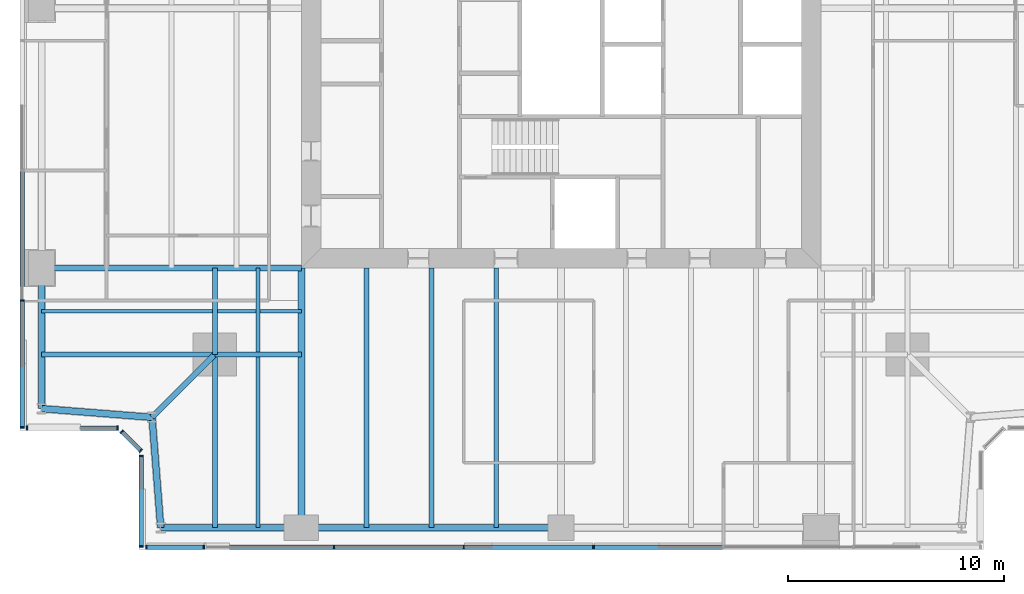
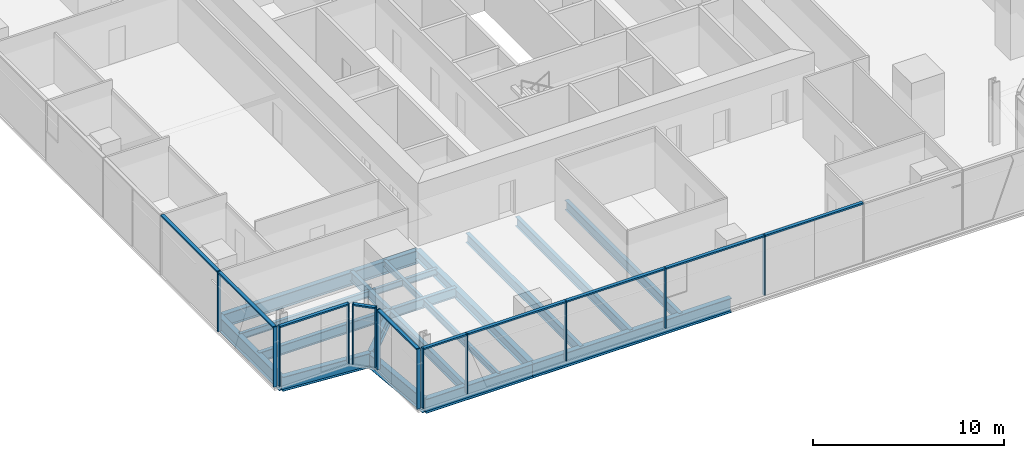
# One storey, part 2 of 16: 23 members, 20 beams, 5 elements without a shape of their own.
"""IFC4 building model written with IfcOpenShell, lengths in metres."""

from ifc_helpers import new_model, si_unit, direction, frame, origin, origin_2d, place, context, subcontext, project, spatial, rectangle, i_section, extrude, material, material_profile, profile_set, type_object, element, aggregate, save


model = new_model("IFC4")

# Units and contexts
model_context = context("Model", 3, precision=1e-05, world=origin(), true_north=direction((0.0, 1.0)))
body_context = subcontext(model_context, "Body", "Model", "MODEL_VIEW")
ifc_project = project(units=[si_unit("LENGTHUNIT", "METRE"), si_unit("AREAUNIT", "SQUARE_METRE"), si_unit("VOLUMEUNIT", "CUBIC_METRE"), si_unit("PLANEANGLEUNIT", "RADIAN"), si_unit("MASSUNIT", "GRAM", prefix="KILO")], contexts=[model_context])

# Site, building, storey
site_placement = place(None, origin())
site = spatial("IfcSite", under=ifc_project, at=site_placement, CompositionType="ELEMENT")
building_placement = place(site_placement, origin())
building = spatial("IfcBuilding", under=site, at=building_placement, Name="Fenwick Lantern Interchange", CompositionType="ELEMENT")
storey_placement = place(building_placement, frame((0.0, 0.0, 181.800048828125)))
storey = spatial("IfcBuildingStorey", under=building, at=storey_placement, Name="L42", CompositionType="ELEMENT", Elevation=181.800048828125)

# Beams
ifc_material_1 = material(Name="Steel ASTM A992 Grade 50", Category="steel")
ifc_material_profile_1 = material_profile(ifc_material_1, i_section(OverallWidth=0.3046875, OverallDepth=0.911865234375, WebThickness=0.015869140625, FlangeThickness=0.02392578125, at=origin_2d()), Name="W36X150")
ifc_profile_set_1 = profile_set([ifc_material_profile_1], Name="Steel ASTM A992 Grade 50")
beam_type_1 = type_object("IfcBeamType", Name="EDGE BEAM W36X150", PredefinedType="SPANDREL", material=ifc_profile_set_1)
beam_1_placement = place(storey_placement, frame((6.5, 1.0, -0.60595703125), z_axis=(1.0, 0.0, 0.0), x_axis=(0.0, 1.0, 0.0)))
element("IfcBeam", 1, at=beam_1_placement, inside=storey, type_object=beam_type_1, Name="L42/FR/S/EB1", PredefinedType="SPANDREL", context=body_context, shape_type="SweptSolid", body=[
    extrude(i_section(OverallWidth=0.3046875, OverallDepth=0.911865234375, WebThickness=0.015869140625, FlangeThickness=0.02392578125, at=origin_2d()), origin(), (0.0, 0.0, 1.0), 6.5),
])
beam_2_placement = place(storey_placement, frame((13.0, 1.0, -0.60595703125), z_axis=(1.0, 0.0, 0.0), x_axis=(0.0, 1.0, 0.0)))
element("IfcBeam", 2, at=beam_2_placement, inside=storey, type_object=beam_type_1, Name="L42/FR/S/EB2", PredefinedType="SPANDREL", context=body_context, shape_type="SweptSolid", body=[
    extrude(i_section(OverallWidth=0.3046875, OverallDepth=0.911865234375, WebThickness=0.015869140625, FlangeThickness=0.02392578125, at=origin_2d()), origin(), (0.0, 0.0, 1.0), 12.0),
])
beam_3_placement = place(storey_placement, frame((1.0, 13.0, -0.60595703125), z_axis=(0.0, -1.0, 0.0), x_axis=(1.0, 0.0, 0.0)))
element("IfcBeam", 3, at=beam_3_placement, inside=storey, type_object=beam_type_1, Name="L42/FR/W/EB4", PredefinedType="SPANDREL", context=body_context, shape_type="SweptSolid", body=[
    extrude(i_section(OverallWidth=0.3046875, OverallDepth=0.911865234375, WebThickness=0.015869140625, FlangeThickness=0.02392578125, at=origin_2d()), origin(), (0.0, 0.0, 1.0), 6.5),
])
for number, where, z_axis, x_axis, name in (
    (4, (1.0, 6.5, -0.60595703125), (0.99693998236, -0.078170784639, 0.0), (0.078170784639, 0.99693998236, 0.0), "L42/FR/W/EBR1"),
    (5, (6.10009765625, 6.10009765625, -0.60595703125), (0.078170784639, -0.99693998236, 0.0), (0.99693998236, 0.078170784639, 0.0), "L42/FR/W/EBR2"),
):
    element("IfcBeam", number, at=place(storey_placement, frame(where, z_axis=z_axis, x_axis=x_axis)), inside=storey, type_object=beam_type_1, Name=name, PredefinedType="SPANDREL", context=body_context, shape_type="SweptSolid", body=[
        extrude(i_section(OverallWidth=0.3046875, OverallDepth=0.911865234375, WebThickness=0.015869140625, FlangeThickness=0.02392578125, at=origin_2d()), origin(), (0.0, 0.0, 1.0), 5.11572265625),
    ])
ifc_material_profile_2 = material_profile(ifc_material_1, i_section(OverallWidth=0.22900390625, OverallDepth=0.612060546875, WebThickness=0.011962890625, FlangeThickness=0.01953125, at=origin_2d()), Name="W24X84")
ifc_profile_set_2 = profile_set([ifc_material_profile_2], Name="Steel ASTM A992 Grade 50")
beam_type_2 = type_object("IfcBeamType", Name="FLOOR BEAM W24X84", PredefinedType="BEAM", material=ifc_profile_set_2)
for number, where, z_axis, x_axis, name in (
    (6, (16.0, 1.0, -0.4560546875), (0.0, 1.0, 0.0), (-1.0, 0.0, 0.0), "L42/FR/S/R02"),
    (7, (19.0, 1.0, -0.4560546875), (0.0, 1.0, 0.0), (-1.0, 0.0, 0.0), "L42/FR/S/R03"),
    (8, (22.0, 1.0, -0.4560546875), (0.0, 1.0, 0.0), (-1.0, 0.0, 0.0), "L42/FR/S/R04"),
):
    element("IfcBeam", number, at=place(storey_placement, frame(where, z_axis=z_axis, x_axis=x_axis)), inside=storey, type_object=beam_type_2, Name=name, PredefinedType="BEAM", context=body_context, shape_type="SweptSolid", body=[
        extrude(i_section(OverallWidth=0.22900390625, OverallDepth=0.612060546875, WebThickness=0.011962890625, FlangeThickness=0.01953125, at=origin_2d()), origin(), (0.0, 0.0, 1.0), 12.0),
    ])
ifc_material_profile_3 = material_profile(ifc_material_1, i_section(OverallWidth=0.177734375, OverallDepth=0.406494140625, WebThickness=0.0078125, FlangeThickness=0.012939453125, at=origin_2d()), Name="W16X40")
ifc_profile_set_3 = profile_set([ifc_material_profile_3], Name="Steel ASTM A992 Grade 50")
beam_type_3 = type_object("IfcBeamType", Name="INFILL BEAM W16X40", PredefinedType="JOIST", material=ifc_profile_set_3)
beam_4_placement = place(storey_placement, frame((11.0, 1.0, -0.353271484375), z_axis=(0.0, 1.0, 0.0), x_axis=(-1.0, 0.0, 0.0)))
element("IfcBeam", 9, at=beam_4_placement, inside=storey, type_object=beam_type_3, Name="L42/FR/S/J1", PredefinedType="JOIST", context=body_context, shape_type="SweptSolid", body=[
    extrude(i_section(OverallWidth=0.177734375, OverallDepth=0.406494140625, WebThickness=0.0078125, FlangeThickness=0.012939453125, at=origin_2d()), origin(), (0.0, 0.0, 1.0), 7.885498046875),
])
beam_5_placement = place(storey_placement, frame((11.0, 9.114501953125, -0.353271484375), z_axis=(0.0, 1.0, 0.0), x_axis=(-1.0, 0.0, 0.0)))
element("IfcBeam", 10, at=beam_5_placement, inside=storey, type_object=beam_type_3, Name="L42/FR/S/J2", PredefinedType="JOIST", context=body_context, shape_type="SweptSolid", body=[
    extrude(i_section(OverallWidth=0.177734375, OverallDepth=0.406494140625, WebThickness=0.0078125, FlangeThickness=0.012939453125, at=origin_2d()), origin(), (0.0, 0.0, 1.0), 3.885498046875),
])
beam_6_placement = place(storey_placement, frame((1.0, 11.0, -0.353271484375), z_axis=(1.0, 0.0, 0.0), x_axis=(0.0, 1.0, 0.0)))
element("IfcBeam", 11, at=beam_6_placement, inside=storey, type_object=beam_type_3, Name="L42/FR/S/J3", PredefinedType="JOIST", context=body_context, shape_type="SweptSolid", body=[
    extrude(i_section(OverallWidth=0.177734375, OverallDepth=0.406494140625, WebThickness=0.0078125, FlangeThickness=0.012939453125, at=origin_2d()), origin(), (0.0, 0.0, 1.0), 7.885498046875),
])
beam_7_placement = place(storey_placement, frame((9.114501953125, 11.0, -0.353271484375), z_axis=(1.0, 0.0, 0.0), x_axis=(0.0, 1.0, 0.0)))
element("IfcBeam", 12, at=beam_7_placement, inside=storey, type_object=beam_type_3, Name="L42/FR/S/J4", PredefinedType="JOIST", context=body_context, shape_type="SweptSolid", body=[
    extrude(i_section(OverallWidth=0.177734375, OverallDepth=0.406494140625, WebThickness=0.0078125, FlangeThickness=0.012939453125, at=origin_2d()), origin(), (0.0, 0.0, 1.0), 1.796630859375),
])
beam_8_placement = place(storey_placement, frame((11.0888671875, 11.0, -0.353271484375), z_axis=(1.0, 0.0, 0.0), x_axis=(0.0, 1.0, 0.0)))
element("IfcBeam", 13, at=beam_8_placement, inside=storey, type_object=beam_type_3, Name="L42/FR/S/J5", PredefinedType="JOIST", context=body_context, shape_type="SweptSolid", body=[
    extrude(i_section(OverallWidth=0.177734375, OverallDepth=0.406494140625, WebThickness=0.0078125, FlangeThickness=0.012939453125, at=origin_2d()), origin(), (0.0, 0.0, 1.0), 1.9111328125),
])
ifc_material_profile_4 = material_profile(ifc_material_1, i_section(OverallWidth=0.22900390625, OverallDepth=0.612060546875, WebThickness=0.011962890625, FlangeThickness=0.01953125, at=origin_2d()), Name="W24X84")
ifc_profile_set_4 = profile_set([ifc_material_profile_4], Name="Steel ASTM A992 Grade 50")
beam_type_4 = type_object("IfcBeamType", Name="MEGA COLUMN BEAM W24X84", PredefinedType="BEAM", material=ifc_profile_set_4)
for number, where, z_axis, x_axis, name in (
    (14, (9.0, 9.0, -0.4560546875), (0.0, -1.0, 0.0), (1.0, 0.0, 0.0), "L42/FR/S/MB1"),
    (15, (9.0, 9.0, -0.4560546875), (-1.0, 0.0, 0.0), (0.0, -1.0, 0.0), "L42/FR/S/MB2"),
):
    element("IfcBeam", number, at=place(storey_placement, frame(where, z_axis=z_axis, x_axis=x_axis)), inside=storey, type_object=beam_type_4, Name=name, PredefinedType="BEAM", context=body_context, shape_type="SweptSolid", body=[
        extrude(i_section(OverallWidth=0.22900390625, OverallDepth=0.612060546875, WebThickness=0.011962890625, FlangeThickness=0.01953125, at=origin_2d()), origin(), (0.0, 0.0, 1.0), 8.0),
    ])
for number, where, z_axis, x_axis, name in (
    (16, (9.0, 9.0, -0.4560546875), (1.0, 0.0, 0.0), (0.0, 1.0, 0.0), "L42/FR/S/MB3"),
    (17, (9.0, 9.0, -0.4560546875), (0.0, 1.0, 0.0), (-1.0, 0.0, 0.0), "L42/FR/S/MB4"),
):
    element("IfcBeam", number, at=place(storey_placement, frame(where, z_axis=z_axis, x_axis=x_axis)), inside=storey, type_object=beam_type_4, Name=name, PredefinedType="BEAM", context=body_context, shape_type="SweptSolid", body=[
        extrude(i_section(OverallWidth=0.22900390625, OverallDepth=0.612060546875, WebThickness=0.011962890625, FlangeThickness=0.01953125, at=origin_2d()), origin(), (0.0, 0.0, 1.0), 4.0),
    ])
ifc_material_profile_5 = material_profile(ifc_material_1, i_section(OverallWidth=0.32763671875, OverallDepth=0.622314453125, WebThickness=0.015380859375, FlangeThickness=0.0244140625, at=origin_2d()), Name="W24X131")
ifc_profile_set_5 = profile_set([ifc_material_profile_5], Name="Steel ASTM A992 Grade 50")
beam_type_5 = type_object("IfcBeamType", Name="MOMENT-CONNECTED GIRDER W24X131", PredefinedType="BEAM", material=ifc_profile_set_5)
beam_9_placement = place(storey_placement, frame((13.0, 1.0, -0.461181640625), z_axis=(0.0, 1.0, 0.0), x_axis=(-1.0, 0.0, 0.0)))
element("IfcBeam", 18, at=beam_9_placement, inside=storey, type_object=beam_type_5, Name="L42/FR/S/R01", PredefinedType="BEAM", context=body_context, shape_type="SweptSolid", body=[
    extrude(i_section(OverallWidth=0.32763671875, OverallDepth=0.622314453125, WebThickness=0.015380859375, FlangeThickness=0.0244140625, at=origin_2d()), origin(), (0.0, 0.0, 1.0), 12.0),
])
ifc_material_profile_6 = material_profile(ifc_material_1, i_section(OverallWidth=0.2919921875, OverallDepth=0.845703125, WebThickness=0.015380859375, FlangeThickness=0.0244140625, at=origin_2d()), Name="W33X141")
ifc_profile_set_6 = profile_set([ifc_material_profile_6], Name="Steel ASTM A992 Grade 50")
beam_type_6 = type_object("IfcBeamType", Name="MOMENT-CONNECTED GIRDER W33X141", PredefinedType="BEAM", material=ifc_profile_set_6)
beam_10_placement = place(storey_placement, frame((1.0, 13.0, -0.572998046875), z_axis=(1.0, 0.0, 0.0), x_axis=(0.0, 1.0, 0.0)))
element("IfcBeam", 19, at=beam_10_placement, inside=storey, type_object=beam_type_6, Name="L42/FR/W/R03", PredefinedType="BEAM", context=body_context, shape_type="SweptSolid", body=[
    extrude(i_section(OverallWidth=0.2919921875, OverallDepth=0.845703125, WebThickness=0.015380859375, FlangeThickness=0.0244140625, at=origin_2d()), origin(), (0.0, 0.0, 1.0), 12.0),
])
ifc_material_profile_7 = material_profile(ifc_material_1, i_section(OverallWidth=0.2666015625, OverallDepth=0.7568359375, WebThickness=0.013916015625, FlangeThickness=0.019287109375, at=origin_2d()), Name="W30X108")
ifc_profile_set_7 = profile_set([ifc_material_profile_7], Name="Steel ASTM A992 Grade 50")
beam_type_7 = type_object("IfcBeamType", Name="NOTCH BEAM W30X108", PredefinedType="BEAM", material=ifc_profile_set_7)
beam_11_placement = place(storey_placement, frame((9.0, 9.0, -0.528564453125), z_axis=(-0.707106781187, -0.707106781187, 0.0), x_axis=(0.707106781187, -0.707106781187, 0.0)))
element("IfcBeam", 20, at=beam_11_placement, inside=storey, type_object=beam_type_7, Name="L42/FR/S/TG", PredefinedType="BEAM", context=body_context, shape_type="SweptSolid", body=[
    extrude(i_section(OverallWidth=0.2666015625, OverallDepth=0.7568359375, WebThickness=0.013916015625, FlangeThickness=0.019287109375, at=origin_2d()), origin(), (0.0, 0.0, 1.0), 4.10107421875),
])

# Curtain wall, members
ifc_material_2 = material(Name="Aluminium curtain wall frame", Category="aluminium")
curtain_wall_type = type_object("IfcCurtainWallType", Name="OFFICE CURTAIN WALL", PredefinedType="USERDEFINED", material=ifc_material_2)
curtain_wall_1_placement = place(storey_placement, origin())
curtain_wall_1 = element("IfcCurtainWall", 21, at=curtain_wall_1_placement, inside=storey, type_object=curtain_wall_type, Name="Office curtain wall 01", ObjectType="OFFICE CURTAIN WALL", PredefinedType="USERDEFINED")
ifc_material_3 = material(Name="Aluminium extrusion", Category="aluminium")
ifc_material_profile_8 = material_profile(ifc_material_3, rectangle(XDim=0.199951171875, YDim=0.06494140625, at=origin_2d()), Name="OFFICE CURTAIN WALL MULLION 65 X 200")
ifc_profile_set_8 = profile_set([ifc_material_profile_8], Name="Aluminium extrusion")
member_type_1 = type_object("IfcMemberType", Name="OFFICE CURTAIN WALL MULLION 65 X 200", PredefinedType="MULLION", material=ifc_profile_set_8)
member_1_placement = place(storey_placement, frame((5.83251953125, 0.10009765625, 0.0), z_axis=(0.0, 0.0, 1.0), x_axis=(0.0, 1.0, 0.0)))
member_1 = element("IfcMember", 22, at=member_1_placement, type_object=member_type_1, Name="L42/CW/01/M00", PredefinedType="MULLION", context=body_context, shape_type="SweptSolid", body=[
    extrude(rectangle(XDim=0.199951171875, YDim=0.06494140625, at=origin_2d()), origin(), (0.0, 0.0, 1.0), 3.849853515625),
])
member_2_placement = place(storey_placement, frame((8.5, 0.10009765625, 0.0), z_axis=(0.0, 0.0, 1.0), x_axis=(0.0, 1.0, 0.0)))
member_2 = element("IfcMember", 23, at=member_2_placement, type_object=member_type_1, Name="L42/CW/01/M01", PredefinedType="MULLION", context=body_context, shape_type="SweptSolid", body=[
    extrude(rectangle(XDim=0.199951171875, YDim=0.06494140625, at=origin_2d()), origin(), (0.0, 0.0, 1.0), 3.849853515625),
])
member_3_placement = place(storey_placement, frame((14.5, 0.10009765625, 0.0), z_axis=(0.0, 0.0, 1.0), x_axis=(0.0, 1.0, 0.0)))
member_3 = element("IfcMember", 24, at=member_3_placement, type_object=member_type_1, Name="L42/CW/01/M02", PredefinedType="MULLION", context=body_context, shape_type="SweptSolid", body=[
    extrude(rectangle(XDim=0.199951171875, YDim=0.06494140625, at=origin_2d()), origin(), (0.0, 0.0, 1.0), 3.849853515625),
])
member_4_placement = place(storey_placement, frame((20.5, 0.10009765625, 0.0), z_axis=(0.0, 0.0, 1.0), x_axis=(0.0, 1.0, 0.0)))
member_4 = element("IfcMember", 25, at=member_4_placement, type_object=member_type_1, Name="L42/CW/01/M03", PredefinedType="MULLION", context=body_context, shape_type="SweptSolid", body=[
    extrude(rectangle(XDim=0.199951171875, YDim=0.06494140625, at=origin_2d()), origin(), (0.0, 0.0, 1.0), 3.849853515625),
])
member_5_placement = place(storey_placement, frame((26.5, 0.10009765625, 0.0), z_axis=(0.0, 0.0, 1.0), x_axis=(0.0, 1.0, 0.0)))
member_5 = element("IfcMember", 26, at=member_5_placement, type_object=member_type_1, Name="L42/CW/01/M04", PredefinedType="MULLION", context=body_context, shape_type="SweptSolid", body=[
    extrude(rectangle(XDim=0.199951171875, YDim=0.06494140625, at=origin_2d()), origin(), (0.0, 0.0, 1.0), 3.849853515625),
])

curtain_wall_2_placement = place(storey_placement, origin())
curtain_wall_2 = element("IfcCurtainWall", 27, at=curtain_wall_2_placement, inside=storey, type_object=curtain_wall_type, Name="Office curtain wall 13", ObjectType="OFFICE CURTAIN WALL", PredefinedType="USERDEFINED")
member_6_placement = place(storey_placement, frame((0.10009765625, 11.5, 0.0), z_axis=(0.0, 0.0, 1.0), x_axis=(1.0, 0.0, 0.0)))
member_6 = element("IfcMember", 28, at=member_6_placement, type_object=member_type_1, Name="L42/CW/13/M06", PredefinedType="MULLION", context=body_context, shape_type="SweptSolid", body=[
    extrude(rectangle(XDim=0.199951171875, YDim=0.06494140625, at=origin_2d()), origin(), (0.0, 0.0, 1.0), 3.849853515625),
])
member_7_placement = place(storey_placement, frame((0.10009765625, 5.632568359375, 0.0), z_axis=(0.0, 0.0, 1.0), x_axis=(1.0, 0.0, 0.0)))
member_7 = element("IfcMember", 29, at=member_7_placement, type_object=member_type_1, Name="L42/CW/13/M07", PredefinedType="MULLION", context=body_context, shape_type="SweptSolid", body=[
    extrude(rectangle(XDim=0.199951171875, YDim=0.06494140625, at=origin_2d()), origin(), (0.0, 0.0, 1.0), 3.849853515625),
])

curtain_wall_3_placement = place(storey_placement, origin())
curtain_wall_3 = element("IfcCurtainWall", 30, at=curtain_wall_3_placement, inside=storey, type_object=curtain_wall_type, Name="Office curtain wall 14", ObjectType="OFFICE CURTAIN WALL", PredefinedType="USERDEFINED")
member_8_placement = place(storey_placement, frame((0.33251953125, 5.60009765625, 0.0), z_axis=(0.0, 0.0, 1.0), x_axis=(0.0, 1.0, 0.0)))
member_8 = element("IfcMember", 31, at=member_8_placement, type_object=member_type_1, Name="L42/CW/14/M00", PredefinedType="MULLION", context=body_context, shape_type="SweptSolid", body=[
    extrude(rectangle(XDim=0.199951171875, YDim=0.06494140625, at=origin_2d()), origin(), (0.0, 0.0, 1.0), 3.849853515625),
])
member_9_placement = place(storey_placement, frame((4.509033203125, 5.60009765625, 0.0), z_axis=(0.0, 0.0, 1.0), x_axis=(0.0, 1.0, 0.0)))
member_9 = element("IfcMember", 32, at=member_9_placement, type_object=member_type_1, Name="L42/CW/14/M01", PredefinedType="MULLION", context=body_context, shape_type="SweptSolid", body=[
    extrude(rectangle(XDim=0.199951171875, YDim=0.06494140625, at=origin_2d()), origin(), (0.0, 0.0, 1.0), 3.849853515625),
])

curtain_wall_4_placement = place(storey_placement, origin())
curtain_wall_4 = element("IfcCurtainWall", 33, at=curtain_wall_4_placement, inside=storey, type_object=curtain_wall_type, Name="Office curtain wall 15", ObjectType="OFFICE CURTAIN WALL", PredefinedType="USERDEFINED")
member_10_placement = place(storey_placement, frame((4.705810546875, 5.435546875, 0.0), z_axis=(0.0, 0.0, 1.0), x_axis=(0.707106781187, 0.707106781187, 0.0)))
member_10 = element("IfcMember", 34, at=member_10_placement, type_object=member_type_1, Name="L42/CW/15/M00", PredefinedType="MULLION", context=body_context, shape_type="SweptSolid", body=[
    extrude(rectangle(XDim=0.199951171875, YDim=0.06494140625, at=origin_2d()), origin(), (0.0, 0.0, 1.0), 3.849853515625),
])
member_11_placement = place(storey_placement, frame((5.576904296875, 4.564453125, 0.0), z_axis=(0.0, 0.0, 1.0), x_axis=(0.707106781187, 0.707106781187, 0.0)))
member_11 = element("IfcMember", 35, at=member_11_placement, type_object=member_type_1, Name="L42/CW/15/M01", PredefinedType="MULLION", context=body_context, shape_type="SweptSolid", body=[
    extrude(rectangle(XDim=0.199951171875, YDim=0.06494140625, at=origin_2d()), origin(), (0.0, 0.0, 1.0), 3.849853515625),
])

curtain_wall_5_placement = place(storey_placement, origin())
curtain_wall_5 = element("IfcCurtainWall", 36, at=curtain_wall_5_placement, inside=storey, type_object=curtain_wall_type, Name="Office curtain wall 16", ObjectType="OFFICE CURTAIN WALL", PredefinedType="USERDEFINED")
member_12_placement = place(storey_placement, frame((5.60009765625, 4.308837890625, 0.0), z_axis=(0.0, 0.0, 1.0), x_axis=(1.0, 0.0, 0.0)))
member_12 = element("IfcMember", 37, at=member_12_placement, type_object=member_type_1, Name="L42/CW/16/M00", PredefinedType="MULLION", context=body_context, shape_type="SweptSolid", body=[
    extrude(rectangle(XDim=0.199951171875, YDim=0.06494140625, at=origin_2d()), origin(), (0.0, 0.0, 1.0), 3.849853515625),
])
member_13_placement = place(storey_placement, frame((5.60009765625, 0.132568359375, 0.0), z_axis=(0.0, 0.0, 1.0), x_axis=(1.0, 0.0, 0.0)))
member_13 = element("IfcMember", 38, at=member_13_placement, type_object=member_type_1, Name="L42/CW/16/M01", PredefinedType="MULLION", context=body_context, shape_type="SweptSolid", body=[
    extrude(rectangle(XDim=0.199951171875, YDim=0.06494140625, at=origin_2d()), origin(), (0.0, 0.0, 1.0), 3.849853515625),
])

# Member
ifc_material_profile_9 = material_profile(ifc_material_3, rectangle(XDim=0.199951171875, YDim=0.10009765625, at=origin_2d()), Name="OFFICE CURTAIN WALL TRANSOM 100 X 200")
ifc_profile_set_9 = profile_set([ifc_material_profile_9], Name="Aluminium extrusion")
member_type_2 = type_object("IfcMemberType", Name="OFFICE CURTAIN WALL TRANSOM 100 X 200", PredefinedType="MULLION", material=ifc_profile_set_9)
member_14_placement = place(storey_placement, frame((5.864990234375, 0.10009765625, 3.800048828125), z_axis=(1.0, 0.0, 0.0), x_axis=(0.0, 1.0, 0.0)))
member_14 = element("IfcMember", 39, at=member_14_placement, type_object=member_type_2, Name="L42/CW/01/T00", PredefinedType="MULLION", context=body_context, shape_type="SweptSolid", body=[
    extrude(rectangle(XDim=0.199951171875, YDim=0.10009765625, at=origin_2d()), origin(), (0.0, 0.0, 1.0), 2.6025390625),
])

member_15_placement = place(storey_placement, frame((8.532470703125, 0.10009765625, 3.800048828125), z_axis=(1.0, 0.0, 0.0), x_axis=(0.0, 1.0, 0.0)))
member_15 = element("IfcMember", 40, at=member_15_placement, type_object=member_type_2, Name="L42/CW/01/T01", PredefinedType="MULLION", context=body_context, shape_type="SweptSolid", body=[
    extrude(rectangle(XDim=0.199951171875, YDim=0.10009765625, at=origin_2d()), origin(), (0.0, 0.0, 1.0), 5.93505859375),
])

member_16_placement = place(storey_placement, frame((14.532470703125, 0.10009765625, 3.800048828125), z_axis=(1.0, 0.0, 0.0), x_axis=(0.0, 1.0, 0.0)))
member_16 = element("IfcMember", 41, at=member_16_placement, type_object=member_type_2, Name="L42/CW/01/T02", PredefinedType="MULLION", context=body_context, shape_type="SweptSolid", body=[
    extrude(rectangle(XDim=0.199951171875, YDim=0.10009765625, at=origin_2d()), origin(), (0.0, 0.0, 1.0), 5.93505859375),
])

member_17_placement = place(storey_placement, frame((20.532470703125, 0.10009765625, 3.800048828125), z_axis=(1.0, 0.0, 0.0), x_axis=(0.0, 1.0, 0.0)))
member_17 = element("IfcMember", 42, at=member_17_placement, type_object=member_type_2, Name="L42/CW/01/T03", PredefinedType="MULLION", context=body_context, shape_type="SweptSolid", body=[
    extrude(rectangle(XDim=0.199951171875, YDim=0.10009765625, at=origin_2d()), origin(), (0.0, 0.0, 1.0), 5.93505859375),
])

member_18_placement = place(storey_placement, frame((26.532470703125, 0.10009765625, 3.800048828125), z_axis=(1.0, 0.0, 0.0), x_axis=(0.0, 1.0, 0.0)))
member_18 = element("IfcMember", 43, at=member_18_placement, type_object=member_type_2, Name="L42/CW/01/T04", PredefinedType="MULLION", context=body_context, shape_type="SweptSolid", body=[
    extrude(rectangle(XDim=0.199951171875, YDim=0.10009765625, at=origin_2d()), origin(), (0.0, 0.0, 1.0), 5.93505859375),
])

aggregate(curtain_wall_1, [member_1, member_2, member_3, member_4, member_5, member_14, member_15, member_16, member_17, member_18])

member_19_placement = place(storey_placement, frame((0.10009765625, 17.467529296875, 3.800048828125), z_axis=(0.0, -1.0, 0.0), x_axis=(1.0, 0.0, 0.0)))
member_19 = element("IfcMember", 44, at=member_19_placement, type_object=member_type_2, Name="L42/CW/13/T05", PredefinedType="MULLION", context=body_context, shape_type="SweptSolid", body=[
    extrude(rectangle(XDim=0.199951171875, YDim=0.10009765625, at=origin_2d()), origin(), (0.0, 0.0, 1.0), 5.93505859375),
])

member_20_placement = place(storey_placement, frame((0.10009765625, 11.467529296875, 3.800048828125), z_axis=(0.0, -1.0, 0.0), x_axis=(1.0, 0.0, 0.0)))
member_20 = element("IfcMember", 45, at=member_20_placement, type_object=member_type_2, Name="L42/CW/13/T06", PredefinedType="MULLION", context=body_context, shape_type="SweptSolid", body=[
    extrude(rectangle(XDim=0.199951171875, YDim=0.10009765625, at=origin_2d()), origin(), (0.0, 0.0, 1.0), 5.802490234375),
])

aggregate(curtain_wall_2, [member_6, member_7, member_19, member_20])

member_21_placement = place(storey_placement, frame((0.364990234375, 5.60009765625, 3.800048828125), z_axis=(1.0, 0.0, 0.0), x_axis=(0.0, 1.0, 0.0)))
member_21 = element("IfcMember", 46, at=member_21_placement, type_object=member_type_2, Name="L42/CW/14/T00", PredefinedType="MULLION", context=body_context, shape_type="SweptSolid", body=[
    extrude(rectangle(XDim=0.199951171875, YDim=0.10009765625, at=origin_2d()), origin(), (0.0, 0.0, 1.0), 4.111328125),
])

aggregate(curtain_wall_3, [member_8, member_9, member_21])

member_22_placement = place(storey_placement, frame((4.728759765625, 5.41259765625, 3.800048828125), z_axis=(0.707106781187, -0.707106781187, 0.0), x_axis=(0.707106781187, 0.707106781187, 0.0)))
member_22 = element("IfcMember", 47, at=member_22_placement, type_object=member_type_2, Name="L42/CW/15/T00", PredefinedType="MULLION", context=body_context, shape_type="SweptSolid", body=[
    extrude(rectangle(XDim=0.199951171875, YDim=0.10009765625, at=origin_2d()), origin(), (0.0, 0.0, 1.0), 1.1669921875),
])

aggregate(curtain_wall_4, [member_10, member_11, member_22])

member_23_placement = place(storey_placement, frame((5.60009765625, 4.2763671875, 3.800048828125), z_axis=(0.0, -1.0, 0.0), x_axis=(1.0, 0.0, 0.0)))
member_23 = element("IfcMember", 48, at=member_23_placement, type_object=member_type_2, Name="L42/CW/16/T00", PredefinedType="MULLION", context=body_context, shape_type="SweptSolid", body=[
    extrude(rectangle(XDim=0.199951171875, YDim=0.10009765625, at=origin_2d()), origin(), (0.0, 0.0, 1.0), 4.111328125),
])

aggregate(curtain_wall_5, [member_12, member_13, member_23])

save(model, "model.ifc")
